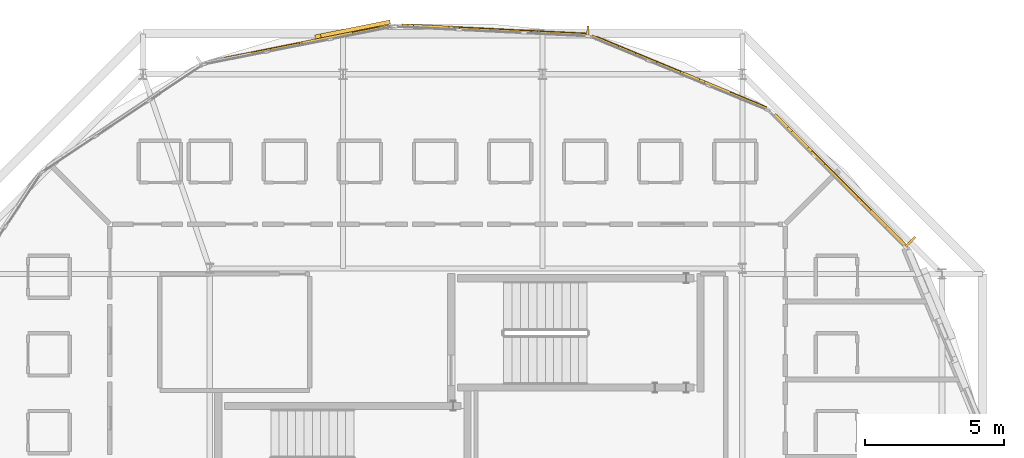
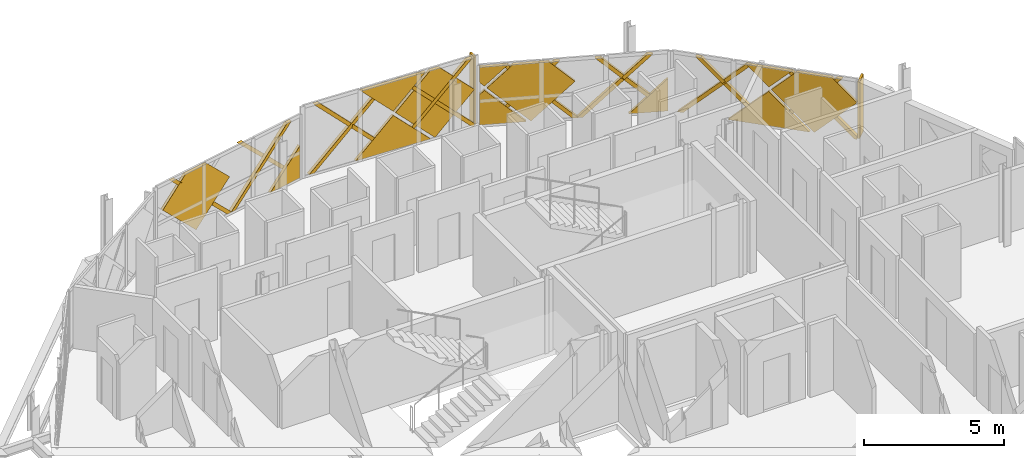
# One storey, part 24 of 24: 27 coverings, 2 shading devices.
"""IFC4 building model written with IfcOpenShell, lengths in metres."""

import ifcopenshell
import ifcopenshell.guid

model = None  # the IFC model being written
_history = None  # IfcOwnerHistory: only IFC2X3 demands one
_inside = {}  # id of a spatial element -> (the spatial element, [elements in it])
_under = {}  # id of a project, library or spatial element -> (it, [spatial elements below it])
_declared = {}  # id of a project -> (the project, [libraries it declares])
_typed = {}  # id of a type object -> (the type object, [elements of that type])
_made_of = {}  # id of a material, layer set ... -> (it, [elements and type objects made of it])


def new_model(schema):
    """Start an empty IFC model of exactly this schema.

    Asked for "IFC4X3", IfcOpenShell would pick the latest addendum, in which some entities
    have other attributes; the version numbers below select the first issue.
    IFC2X3 requires an IfcOwnerHistory on every rooted entity: one is made here for all.
    """
    global model, _history
    if schema == "IFC4X3":
        model = ifcopenshell.file(schema_version=(4, 3, 0, 0))
    else:
        model = ifcopenshell.file(schema=schema)
    _inside.clear()
    _under.clear()
    _declared.clear()
    _typed.clear()
    _made_of.clear()
    _history = None
    if model.schema == "IFC2X3":
        org = make("IfcOrganization", Name="unknown")
        user = make(
            "IfcPersonAndOrganization",
            ThePerson=make("IfcPerson", FamilyName="unknown"),
            TheOrganization=org,
        )
        app = make(
            "IfcApplication",
            ApplicationDeveloper=org,
            Version="unknown",
            ApplicationFullName="unknown",
            ApplicationIdentifier="unknown",
        )
        _history = make(
            "IfcOwnerHistory",
            OwningUser=user,
            OwningApplication=app,
            ChangeAction="ADDED",
            CreationDate=0,
        )
    return model


def make(cls, **values):
    """One entity of the class cls with the attributes given. An attribute that is None is left unset."""
    return model.create_entity(
        cls, **{name: value for name, value in values.items() if value is not None}
    )


def rooted(cls, **values):
    """An entity with a GlobalId (a new one), such as an element, a storey or a relation."""
    return make(cls, GlobalId=ifcopenshell.guid.new(), OwnerHistory=_history, **values)


def si_unit(unit_type, name, prefix=None):
    """IfcSIUnit, for example si_unit("LENGTHUNIT", "METRE", prefix="MILLI")."""
    return make("IfcSIUnit", UnitType=unit_type, Prefix=prefix, Name=name)


def assignment(units):
    """IfcUnitAssignment: the units of a project."""
    return None if units is None else make("IfcUnitAssignment", Units=units)


def point(xyz):
    """IfcCartesianPoint."""
    return None if xyz is None else make("IfcCartesianPoint", Coordinates=xyz)


def direction(xyz):
    """IfcDirection."""
    return None if xyz is None else make("IfcDirection", DirectionRatios=xyz)


def frame(location, z_axis=None, x_axis=None):
    """IfcAxis2Placement3D, a coordinate frame: its origin and axes. An axis left out is left unset."""
    return make(
        "IfcAxis2Placement3D",
        Location=point(location),
        Axis=direction(z_axis),
        RefDirection=direction(x_axis),
    )


def frame_2d(location, x_axis=None):
    """IfcAxis2Placement2D, a coordinate frame in the plane: its origin and x axis."""
    return make(
        "IfcAxis2Placement2D", Location=point(location), RefDirection=direction(x_axis)
    )


def origin():
    """The frame at (0, 0, 0) with its axes left unset."""
    return frame((0.0, 0.0, 0.0))


def origin_2d():
    """The frame at (0, 0) in the plane with its x axis left unset."""
    return frame_2d((0.0, 0.0))


def place(relative_to, where):
    """IfcLocalPlacement: puts the frame where relative to a parent placement (None: the world)."""
    return make(
        "IfcLocalPlacement", PlacementRelTo=relative_to, RelativePlacement=where
    )


def context(
    kind, dimensions, precision=None, world=None, true_north=None, identifier=None
):
    """IfcGeometricRepresentationContext, for example the 3D "Model" context."""
    return make(
        "IfcGeometricRepresentationContext",
        ContextIdentifier=identifier,
        ContextType=kind,
        CoordinateSpaceDimension=dimensions,
        Precision=precision,
        WorldCoordinateSystem=world,
        TrueNorth=true_north,
    )


def subcontext(parent, identifier, kind, view, scale=None):
    """IfcGeometricRepresentationSubContext, for example "Body" below "Model"."""
    return make(
        "IfcGeometricRepresentationSubContext",
        ContextIdentifier=identifier,
        ContextType=kind,
        ParentContext=parent,
        TargetScale=scale,
        TargetView=view,
    )


def project(units=None, contexts=None):
    """IfcProject with its units and contexts."""
    return rooted(
        "IfcProject",
        Name="project",
        RepresentationContexts=contexts,
        UnitsInContext=assignment(units),
    )


def spatial(cls, under=None, at=None, **own):
    """A site, building, storey or space (cls), placed at a placement, below another one or the project."""
    s = rooted(cls, ObjectPlacement=at, **own)
    if under is not None:
        _under.setdefault(under.id(), (under, []))[1].append(s)
    return s


def polyline(points):
    """IfcPolyline through the points."""
    return make("IfcPolyline", Points=[point(p) for p in points])


def profile(cls, at=None, kind="AREA", **sizes):
    """A parametric profile (cls). Its sizes go by their IFC names, for example OverallWidth=200.0."""
    return make(cls, ProfileType=kind, Position=at, **sizes)


def rectangle(**sizes):
    """IfcRectangleProfileDef."""
    return profile("IfcRectangleProfileDef", **sizes)


def outline(outer, holes=None, kind="AREA"):
    """IfcArbitraryClosedProfileDef: a profile drawn as a closed curve; with holes, ...WithVoids."""
    if holes is None:
        return make("IfcArbitraryClosedProfileDef", ProfileType=kind, OuterCurve=outer)
    return make(
        "IfcArbitraryProfileDefWithVoids",
        ProfileType=kind,
        OuterCurve=outer,
        InnerCurves=holes,
    )


def extrude(swept, where, along, depth):
    """IfcExtrudedAreaSolid: the profile swept, set in the frame where, extruded along a direction by depth."""
    return make(
        "IfcExtrudedAreaSolid",
        SweptArea=swept,
        Position=where,
        ExtrudedDirection=direction(along),
        Depth=depth,
    )


def shape(context_of_items, identifier, shape_type, items):
    """IfcShapeRepresentation: the items that make up one representation, for example the "Body"."""
    return make(
        "IfcShapeRepresentation",
        ContextOfItems=context_of_items,
        RepresentationIdentifier=identifier,
        RepresentationType=shape_type,
        Items=items,
    )


def material(Name=None, Category=None):
    """IfcMaterial."""
    return make("IfcMaterial", Name=Name, Category=Category)


def layer(
    of_material, thickness, ventilated=None, Name=None, Category=None, Priority=None
):
    """IfcMaterialLayer: one layer of a wall or slab, of a material (None: an air gap)."""
    return make(
        "IfcMaterialLayer",
        Material=of_material,
        LayerThickness=thickness,
        IsVentilated=ventilated,
        Name=Name,
        Category=Category,
        Priority=Priority,
    )


def layer_set(layers, Name=None):
    """IfcMaterialLayerSet."""
    return make("IfcMaterialLayerSet", MaterialLayers=layers, LayerSetName=Name)


def made_of(thing, what):
    """Note that an element or type object is made of a material, layer set ...; save() writes the relation."""
    if what is not None:
        _made_of.setdefault(what.id(), (what, []))[1].append(thing)
    return thing


def type_object(cls, material=None, **own):
    """A type object (cls), such as IfcWallType, which elements share."""
    return made_of(rooted(cls, **own), material)


def element(
    cls,
    number,
    at=None,
    inside=None,
    cuts=None,
    type_object=None,
    material=None,
    context=None,
    identifier="Body",
    shape_type=None,
    held_by="IfcProductDefinitionShape",
    body=None,
    shapes=None,
    **own,
):
    """One element of the class cls, such as IfcWall. Its Tag is "e" and its number.

    at: its placement. inside: the storey or other place that contains it. cuts: it is an
    opening in that element (IfcRelVoidsElement). A single representation is given by context,
    identifier, shape_type and body (its items); several are given by shapes. held_by: the class
    of the entity that holds the representations. save() writes the other relations.
    """
    e = rooted(cls, Tag="e%d" % number, ObjectPlacement=at, **own)
    if body is not None:
        shapes = [shape(context, identifier, shape_type, body)]
    if shapes is not None:
        e.Representation = make(held_by, Representations=shapes)
    if inside is not None:
        _inside.setdefault(inside.id(), (inside, []))[1].append(e)
    if cuts is not None:
        rooted(
            "IfcRelVoidsElement", RelatingBuildingElement=cuts, RelatedOpeningElement=e
        )
    if type_object is not None:
        _typed.setdefault(type_object.id(), (type_object, []))[1].append(e)
    return made_of(e, material)


def aggregate(whole, parts):
    """IfcRelAggregates: a whole, such as a stair, and the parts it consists of."""
    return rooted("IfcRelAggregates", RelatingObject=whole, RelatedObjects=parts)


def save(model, path):
    """Write the relations noted so far, then the file.

    IfcRelAggregates (storeys below a building ...), IfcRelContainedInSpatialStructure (elements
    in a storey), IfcRelDefinesByType, IfcRelAssociatesMaterial and IfcRelDeclares: one each for
    every whole, place, type object, material and project.
    """
    for whole, parts in _under.values():
        aggregate(whole, parts)
    for where, things in _inside.values():
        rooted(
            "IfcRelContainedInSpatialStructure",
            RelatedElements=things,
            RelatingStructure=where,
        )
    for kind, things in _typed.values():
        rooted("IfcRelDefinesByType", RelatedObjects=things, RelatingType=kind)
    for what, things in _made_of.values():
        rooted("IfcRelAssociatesMaterial", RelatedObjects=things, RelatingMaterial=what)
    for by, libraries in _declared.values():
        rooted("IfcRelDeclares", RelatingContext=by, RelatedDefinitions=libraries)
    model.write(path)


model = new_model("IFC4")

# Units and contexts
model_context = context("Model", 3, precision=1e-05, world=origin(), true_north=direction((0.0, 1.0)))
body_context = subcontext(model_context, "Body", "Model", "MODEL_VIEW")
ifc_project = project(units=[si_unit("LENGTHUNIT", "METRE"), si_unit("AREAUNIT", "SQUARE_METRE"), si_unit("VOLUMEUNIT", "CUBIC_METRE"), si_unit("PLANEANGLEUNIT", "RADIAN"), si_unit("MASSUNIT", "GRAM", prefix="KILO")], contexts=[model_context])

# Site, building, storey
site_placement = place(None, origin())
site = spatial("IfcSite", under=ifc_project, at=site_placement, CompositionType="ELEMENT")
building_placement = place(site_placement, origin())
building = spatial("IfcBuilding", under=site, at=building_placement, Name="Zevrakil Square Congress Hotel", CompositionType="ELEMENT")
storey_placement = place(building_placement, frame((0.0, 0.0, 38.5)))
storey = spatial("IfcBuildingStorey", under=building, at=storey_placement, Name="L11", CompositionType="ELEMENT", Elevation=38.5)

# Coverings
ifc_material_1 = material(Name="Architectural White Fibre-C GRC", Category="concrete")
ifc_layer_1 = layer(ifc_material_1, 0.06494140625)
ifc_layer_set_1 = layer_set([ifc_layer_1], Name="Architectural White Fibre-C GRC")
covering_type_1 = type_object("IfcCoveringType", Name="COV-DIA-WHITE", PredefinedType="CLADDING", material=ifc_layer_set_1)
covering_1_placement = place(storey_placement, frame((159.58056640625, 41.77880859375, 1.590087890625), z_axis=(0.707106665659, 0.707106665659, 0.000571630288), x_axis=(-0.499716692516, 0.500288319938, -0.707103121302)))
element("IfcCovering", 1, at=covering_1_placement, inside=storey, type_object=covering_type_1, Name="L11 45-degree white GRC diamond facade cassette 3272", PredefinedType="CLADDING", context=body_context, shape_type="SweptSolid", body=[
    extrude(outline(polyline([(0.0, 0.0), (2.1354873428434074, 0.0), (-2.1408116838594893e-05, -2.1354873427360994), (0.0, 0.0)])), origin(), (0.0, 0.0, -1.0), 0.1201171875),
])
covering_2_placement = place(storey_placement, frame((159.644287109375, 41.715087890625, 1.679931640625), z_axis=(0.707140347543, 0.707072943366, 0.000617767491), x_axis=(0.500329535821, -0.499759489516, -0.707043710264)))
element("IfcCovering", 2, at=covering_2_placement, inside=storey, type_object=covering_type_1, Name="L11 45-degree white GRC diamond facade cassette 3273", PredefinedType="CLADDING", context=body_context, shape_type="SweptSolid", body=[
    extrude(outline(polyline([(0.0, 0.0), (2.2485791192735185, -4.440892098500626e-16), (2.248853977838536, -2.2342990479333036), (2.234699294185786, -2.2484562513720956), (0.9264160869958067, -2.2485063233599294), (6.409428890696844e-05, -1.322319263013), (0.0, 0.0)])), origin(), (0.0, 0.0, -1.0), 0.1201171875),
])
covering_3_placement = place(storey_placement, frame((159.58056640625, 41.778564453125, 1.77001953125), z_axis=(0.707106648366, 0.707106648366, 0.000612921105), x_axis=(0.499714285029, -0.500327180718, 0.707077326445)))
element("IfcCovering", 3, at=covering_3_placement, inside=storey, type_object=covering_type_1, Name="L11 45-degree white GRC diamond facade cassette 3274", PredefinedType="CLADDING", context=body_context, shape_type="SweptSolid", body=[
    extrude(outline(polyline([(0.0, 0.0), (1.1950188070277745, 1.1102230246251565e-16), (-9.910674917601447e-05, -1.1950188029181539), (0.0, 0.0)])), origin(), (0.0, 0.0, -1.0), 0.1201171875),
])
covering_4_placement = place(storey_placement, frame((155.57763671875, 44.95556640625, 0.080078125), z_axis=(0.382708598301, 0.923868946577, 0.000546201807), x_axis=(0.923869084389, -0.382708655389, 0.0)))
element("IfcCovering", 4, at=covering_4_placement, inside=storey, type_object=covering_type_1, Name="L11 45-degree white GRC diamond facade cassette 3279", PredefinedType="CLADDING", context=body_context, shape_type="SweptSolid", body=[
    extrude(outline(polyline([(0.0, 0.0), (1.409821214264322, 0.0), (1.4098759644796002, -1.4099123196891088), (0.0, 0.0)])), origin(), (0.0, 0.0, -1.0), 0.1201171875),
])
covering_5_placement = place(storey_placement, frame((150.763916015625, 46.948486328125, 1.590087890625), z_axis=(0.382714743738, 0.923866349879, 0.000626487164), x_axis=(-0.653201728691, 0.271070440395, -0.706999517665)))
element("IfcCovering", 5, at=covering_5_placement, inside=storey, type_object=covering_type_1, Name="L11 45-degree white GRC diamond facade cassette 3280", PredefinedType="CLADDING", context=body_context, shape_type="SweptSolid", body=[
    extrude(outline(polyline([(0.0, 0.0), (0.2627880900411389, -2.7755575615628914e-17), (1.199049172416016, -0.936467338451697), (-0.00019416830248641936, -2.135347450146476), (0.0, 0.0)])), origin(), (0.0, 0.0, -1.0), 0.1201171875),
])
covering_6_placement = place(storey_placement, frame((150.846923828125, 46.9140625, 1.679931640625), z_axis=(0.382698091517, 0.923873280155, 0.000577030577), x_axis=(0.653499941168, -0.270259141717, -0.707034527595)))
element("IfcCovering", 6, at=covering_6_placement, inside=storey, type_object=covering_type_1, Name="L11 45-degree white GRC diamond facade cassette 3281", PredefinedType="CLADDING", context=body_context, shape_type="SweptSolid", body=[
    extrude(outline(polyline([(0.0, 0.0), (2.2486083968076045, -2.220446049250313e-16), (2.2488916292677437, -2.248432879459518), (0.9265435052548106, -2.2485923262012273), (0.00021508086097921097, -1.3224529369526261), (0.0, 0.0)])), origin(), (0.0, 0.0, -1.0), 0.1201171875),
])
covering_7_placement = place(storey_placement, frame((150.763916015625, 46.948486328125, 1.77001953125), z_axis=(0.382543433724, 0.92393718608, 0.000772977174), x_axis=(0.653069710922, -0.270986109431, 0.707153788912)))
element("IfcCovering", 7, at=covering_7_placement, inside=storey, type_object=covering_type_1, Name="L11 45-degree white GRC diamond facade cassette 3282", PredefinedType="CLADDING", context=body_context, shape_type="SweptSolid", body=[
    extrude(outline(polyline([(0.0, 0.0), (1.194889801451147, 1.1102230246251565e-16), (0.4659985672846259, -0.7289883829897476), (-4.956417532039903e-05, -0.2628155797619809), (0.0, 0.0)])), origin(), (0.0, 0.0, -1.0), 0.1201171875),
])
covering_8_placement = place(storey_placement, frame((147.112548828125, 47.229736328125, 1.590087890625), z_axis=(0.049070712715, 0.998795149251, 0.000561236486), x_axis=(-0.706270922196, 0.035096337506, -0.70707116442)))
element("IfcCovering", 8, at=covering_8_placement, inside=storey, type_object=covering_type_1, Name="L11 45-degree white GRC diamond facade cassette 3287", PredefinedType="CLADDING", context=body_context, shape_type="SweptSolid", body=[
    extrude(outline(polyline([(0.0, 0.0), (2.13558385861283, 0.0), (1.7276434716828604e-05, -2.1353521352103355), (0.0, 0.0)])), origin(), (0.0, 0.0, -1.0), 0.1201171875),
])
covering_9_placement = place(storey_placement, frame((147.202392578125, 47.225341796875, 1.679931640625), z_axis=(0.049047941332, 0.998796259767, 0.000575262497), x_axis=(0.706311950543, -0.034277657456, -0.707070343544)))
element("IfcCovering", 9, at=covering_9_placement, inside=storey, type_object=covering_type_1, Name="L11 45-degree white GRC diamond facade cassette 3288", PredefinedType="CLADDING", context=body_context, shape_type="SweptSolid", body=[
    extrude(outline(polyline([(0.0, 0.0), (2.248494398241463, -4.440892098500626e-16), (2.2486030582347176, -2.2342168950880037), (2.234447841396194, -2.248373566133651), (0.28288736995757646, -2.2487078883466536), (-6.548053943300491e-05, -1.9657841804599294), (0.0, 0.0)])), origin(), (0.0, 0.0, -1.0), 0.1201171875),
])
covering_10_placement = place(storey_placement, frame((147.112548828125, 47.2294921875, 1.77001953125), z_axis=(0.049014994289, 0.998797881706, 0.000567305379), x_axis=(0.706207169348, -0.035058046767, 0.70713673877)))
element("IfcCovering", 10, at=covering_10_placement, inside=storey, type_object=covering_type_1, Name="L11 45-degree white GRC diamond facade cassette 3289", PredefinedType="CLADDING", context=body_context, shape_type="SweptSolid", body=[
    extrude(outline(polyline([(0.0, 0.0), (1.8384687951391032, 0.0), (3.472268592397132e-05, -1.838590449870117), (0.0, 0.0)])), origin(), (0.0, 0.0, -1.0), 0.1201171875),
])
covering_11_placement = place(storey_placement, frame((141.939453125, 47.114501953125, 0.080078125), z_axis=(-0.195117182695, 0.980779804763, 0.000509496002), x_axis=(0.980779932061, 0.19511720802, 0.0)))
element("IfcCovering", 11, at=covering_11_placement, inside=storey, type_object=covering_type_1, Name="L11 45-degree white GRC diamond facade cassette 3294", PredefinedType="CLADDING", context=body_context, shape_type="SweptSolid", body=[
    extrude(outline(polyline([(0.0, 0.0), (1.4101600118571058, 0.0), (1.410017103745763, -1.4099122923718828), (0.0, 0.0)])), origin(), (0.0, 0.0, -1.0), 0.1201171875),
])
covering_12_placement = place(storey_placement, frame((136.91796875, 46.11474609375, 1.679931640625), z_axis=(-0.195067797291, 0.980789630884, 0.000504392096), x_axis=(0.693497156638, 0.138292244417, -0.707062195898)))
element("IfcCovering", 12, at=covering_12_placement, inside=storey, type_object=covering_type_1, Name="L11 45-degree white GRC diamond facade cassette 3296", PredefinedType="CLADDING", context=body_context, shape_type="SweptSolid", body=[
    extrude(outline(polyline([(0.0, 0.0), (2.248520429327788, 0.0), (2.24890631500822, -2.2486233126681197), (0.7285257753342409, -2.2485491234754926), (0.00013081651485591372, -1.5202458257341371), (0.0, 0.0)])), origin(), (0.0, 0.0, -1.0), 0.1201171875),
])
ifc_material_2 = material(Name="Anodised Champagne Aluminium", Category="aluminium")
ifc_layer_2 = layer(ifc_material_2, 0.0849609375)
ifc_layer_set_2 = layer_set([ifc_layer_2], Name="Anodised Champagne Aluminium")
covering_type_2 = type_object("IfcCoveringType", Name="COV-DIAGRID-45", PredefinedType="MOLDING", material=ifc_layer_set_2)
covering_13_placement = place(storey_placement, frame((161.84326171875, 39.552734375, 0.080078125), z_axis=(0.707282514831, 0.706930533037, 0.000815888734), x_axis=(0.706930767503, -0.707282751066, 1.431981e-06)))
element("IfcCovering", 13, at=covering_13_placement, inside=storey, type_object=covering_type_2, Name="L11 45-degree aluminium diagrid rib 3275", PredefinedType="MOLDING", context=body_context, shape_type="SweptSolid", body=[
    extrude(outline(polyline([(0.0, 0.0), (0.08614415255731475, 6.776263578034403e-21), (0.08614433295333368, -0.12597652057017583), (-2.3227795395484927, -2.534916331166008), (-2.534773460544929, -2.5349166777860006), (0.0, 0.0)])), origin(), (0.0, 0.0, -1.0), 0.14501953125),
])
covering_14_placement = place(storey_placement, frame((159.46728515625, 41.9287109375, 0.080078125), z_axis=(0.707106648366, 0.707106648366, 0.000612921105), x_axis=(0.707106781187, -0.707106781187, 0.0)))
element("IfcCovering", 14, at=covering_14_placement, inside=storey, type_object=covering_type_2, Name="L11 45-degree aluminium diagrid rib 3276", PredefinedType="MOLDING", context=body_context, shape_type="SweptSolid", body=[
    extrude(outline(polyline([(0.0, 0.0), (0.21233919454576503, 0.0), (-2.3227836281408685, -2.5349125855232417), (-2.5347775557036325, -2.5349125855232417), (0.0, 0.0)])), origin(), (0.0, 0.0, -1.0), 0.14501953125),
])
covering_15_placement = place(storey_placement, frame((161.52197265625, 39.871826171875, 2.614990234375), z_axis=(0.707106648366, 0.707106648366, 0.000612921105), x_axis=(-0.707106781403, 0.70710678097, 4.98715e-07)))
element("IfcCovering", 15, at=covering_15_placement, inside=storey, type_object=covering_type_2, Name="L11 45-degree aluminium diagrid rib 3277", PredefinedType="MOLDING", context=body_context, shape_type="SweptSolid", body=[
    extrude(outline(polyline([(0.0, 0.0), (0.21216656105429077, 1.3552527156068805e-20), (2.747115486049362, -2.534913955552084), (2.534948924995177, -2.5349137439306633), (0.0, 0.0)])), origin(), (0.0, 0.0, -1.0), 0.14501953125),
])
covering_16_placement = place(storey_placement, frame((159.14599609375, 42.247802734375, 2.614990234375), z_axis=(0.707394504899, 0.70681891946, 0.000171849645), x_axis=(-0.706818929905, 0.707394515336, 6.9943e-08)))
element("IfcCovering", 16, at=covering_16_placement, inside=storey, type_object=covering_type_2, Name="L11 45-degree aluminium diagrid rib 3278", PredefinedType="MOLDING", context=body_context, shape_type="SweptSolid", body=[
    extrude(outline(polyline([(0.0, 0.0), (0.2119939100044403, 0.0), (2.7471169777784072, -2.53491233894716), (2.5349503640348714, -2.5349123092801533), (0.0, 0.0)])), origin(), (0.0, 0.0, -1.0), 0.14501953125),
])
covering_17_placement = place(storey_placement, frame((156.810302734375, 44.471923828125, 0.080078125), z_axis=(0.382192311352, 0.924082806348, 6.4465811e-05), x_axis=(0.924082808271, -0.382192312138, -1.40394e-07)))
element("IfcCovering", 17, at=covering_17_placement, inside=storey, type_object=covering_type_2, Name="L11 45-degree aluminium diagrid rib 3283", PredefinedType="MOLDING", context=body_context, shape_type="SweptSolid", body=[
    extrude(outline(polyline([(0.0, 0.0), (0.08605096809642064, 4.235164736271502e-22), (0.08614425908007489, -0.12597657679521315), (-2.3227999890043263, -2.534911782246469), (-2.534940209383154, -2.534911754114875), (0.0, 0.0)])), origin(), (0.0, 0.0, -1.0), 0.14501953125),
])
covering_18_placement = place(storey_placement, frame((153.7060546875, 45.7578125, 0.080078125), z_axis=(0.382283985605, 0.924044874844, 0.000153705142), x_axis=(0.924044885761, -0.382283990116, -3.3811e-08)))
element("IfcCovering", 18, at=covering_18_placement, inside=storey, type_object=covering_type_2, Name="L11 45-degree aluminium diagrid rib 3284", PredefinedType="MOLDING", context=body_context, shape_type="SweptSolid", body=[
    extrude(outline(polyline([(0.0, 0.0), (0.2121402167931065, 3.3881317890172014e-21), (-2.3230252977588823, -2.5349120607745457), (-2.534939917656051, -2.5349120464367108), (0.0, 0.0)])), origin(), (0.0, 0.0, -1.0), 0.14501953125),
])
for number, where, z_axis, x_axis, name in (
    (19, (156.391357421875, 44.643798828125, 2.614990234375), (0.382775366943, 0.923841299164, 0.000521939069), (-0.923841424968, 0.38277541916, -1.6243e-07), "L11 45-degree aluminium diagrid rib 3285"),
    (20, (153.287109375, 45.9296875, 2.614990234375), (0.382775366943, 0.923841299164, 0.000521939069), (-0.923841424968, 0.38277541916, -1.6243e-07), "L11 45-degree aluminium diagrid rib 3286"),
):
    element("IfcCovering", number, at=place(storey_placement, frame(where, z_axis=z_axis, x_axis=x_axis)), inside=storey, type_object=covering_type_2, Name=name, PredefinedType="MOLDING", context=body_context, shape_type="SweptSolid", body=[
        extrude(outline(polyline([(0.0, 0.0), (0.21223361299549912, 0.0), (2.747073540922702, -2.5349120084491323), (2.5351589261801633, -2.5349120773434812), (0.0, 0.0)])), origin(), (0.0, 0.0, -1.0), 0.14501953125),
    ])
covering_19_placement = place(storey_placement, frame((150.28369140625, 47.099853515625, 0.080078125), z_axis=(0.048890487435, 0.998804051942, 0.000431349722), x_axis=(0.998804144869, -0.048890491836, -3.40132e-07)))
element("IfcCovering", 21, at=covering_19_placement, inside=storey, type_object=covering_type_2, Name="L11 45-degree aluminium diagrid rib 3290", PredefinedType="MOLDING", context=body_context, shape_type="SweptSolid", body=[
    extrude(outline(polyline([(0.0, 0.0), (0.08628149450684662, -2.117582368135751e-22), (0.08628145165822604, -0.12597655078022985), (-2.7776741037324504, -2.989989564364083), (-2.98984800238856, -2.989989438317135), (0.0, 0.0)])), origin(), (0.0, 0.0, -1.0), 0.14501953125),
])
covering_20_placement = place(storey_placement, frame((146.927978515625, 47.264892578125, 0.080078125), z_axis=(0.049478466536, 0.998774626814, 0.001061217231), x_axis=(0.998775189215, -0.049478494397, 0.0)))
element("IfcCovering", 22, at=covering_20_placement, inside=storey, type_object=covering_type_2, Name="L11 45-degree aluminium diagrid rib 3291", PredefinedType="MOLDING", context=body_context, shape_type="SweptSolid", body=[
    extrude(outline(polyline([(0.0, 0.0), (0.21217393542432023, -1.6940658945086007e-21), (-2.777903612634541, -2.9899919180130308), (-2.9900775480588617, -2.9899919180130308), (0.0, 0.0)])), origin(), (0.0, 0.0, -1.0), 0.14501953125),
])
covering_21_placement = place(storey_placement, frame((150.285888671875, 47.097900390625, 3.070068359375), z_axis=(0.048904532199, 0.998803151742, 0.000781536701), x_axis=(-0.99880345676, 0.048904547485, -4.49104e-07)))
element("IfcCovering", 23, at=covering_21_placement, inside=storey, type_object=covering_type_2, Name="L11 45-degree aluminium diagrid rib 3292", PredefinedType="MOLDING", context=body_context, shape_type="SweptSolid", body=[
    extrude(outline(polyline([(0.0, 0.0), (0.21217390039288506, -1.6940658945086007e-21), (3.2021893662468224, -2.989989709400164), (2.990027405440726, -2.9899898999713543), (0.0, 0.0)])), origin(), (0.0, 0.0, -1.0), 0.14501953125),
])
covering_22_placement = place(storey_placement, frame((146.929931640625, 47.262939453125, 3.070068359375), z_axis=(0.048330509608, 0.998830531904, 0.001315438056), x_axis=(-0.998831396082, 0.048330551423, 0.0)))
element("IfcCovering", 24, at=covering_22_placement, inside=storey, type_object=covering_type_2, Name="L11 45-degree aluminium diagrid rib 3293", PredefinedType="MOLDING", context=body_context, shape_type="SweptSolid", body=[
    extrude(outline(polyline([(0.0, 0.0), (0.21216199583958878, -1.6940658945086007e-21), (3.2021743523191804, -2.9899928212839395), (2.9900123564795917, -2.9899928212839395), (0.0, 0.0)])), origin(), (0.0, 0.0, -1.0), 0.14501953125),
])
covering_23_placement = place(storey_placement, frame((143.233154296875, 47.397216796875, 0.080078125), z_axis=(0.19576984818, -0.980649866021, 8.256863e-05), x_axis=(0.980649869363, 0.195769848849, 2.9158e-08)))
element("IfcCovering", 25, at=covering_23_placement, inside=storey, type_object=covering_type_2, Name="L11 45-degree aluminium diagrid rib 3298", PredefinedType="MOLDING", context=body_context, shape_type="SweptSolid", body=[
    extrude(outline(polyline([(0.0, 0.0), (0.08589656359883074, 0.0), (0.08589656727200465, 0.12597656207057237), (-2.4628951464319573, 2.6748047693098767), (-2.6750031940397676, 2.6748047772166355), (0.0, 0.0)])), origin(), (0.0, 0.0, -1.0), 0.14501953125),
])
covering_24_placement = place(storey_placement, frame((139.937744140625, 46.741943359375, 0.080078125), z_axis=(-0.194565967107, 0.980888780918, 0.001133098733), x_axis=(0.980889410606, 0.19456609201, 0.0)))
element("IfcCovering", 26, at=covering_24_placement, inside=storey, type_object=covering_type_2, Name="L11 45-degree aluminium diagrid rib 3299", PredefinedType="MOLDING", context=body_context, shape_type="SweptSolid", body=[
    extrude(outline(polyline([(0.0, 0.0), (0.21206041195957603, 0.0), (-2.462941154992627, -2.674806404609561), (-2.675001566952203, -2.674806404609561), (0.0, 0.0)])), origin(), (0.0, 0.0, -1.0), 0.14501953125),
])
covering_25_placement = place(storey_placement, frame((142.926513671875, 47.334716796875, 2.7548828125), z_axis=(-0.194566091322, 0.980889407141, 8.4065619e-05), x_axis=(-0.980889410606, -0.19456609201, 0.0)))
element("IfcCovering", 27, at=covering_25_placement, inside=storey, type_object=covering_type_2, Name="L11 45-degree aluminium diagrid rib 3300", PredefinedType="MOLDING", context=body_context, shape_type="SweptSolid", body=[
    extrude(outline(polyline([(0.0, 0.0), (0.21206041195957603, 4.235164736271502e-22), (2.887162884438071, -2.6748046969514605), (2.6751024724784944, -2.6748046969514605), (0.0, 0.0)])), origin(), (0.0, 0.0, -1.0), 0.14501953125),
])

# Shading devices
ifc_material_3 = material(Name="Aluminium Anodised Bronze", Category="aluminium")
shading_device_type_1 = type_object("IfcShadingDeviceType", Name="SHD-FIN-35", PredefinedType="JALOUSIE", material=ifc_material_3)
shading_device_1_placement = place(storey_placement, frame((150.433349609375, 47.167724609375, 0.10009765625), z_axis=(0.0, 0.0, 1.0), x_axis=(0.049058958191, 0.998795884363, 0.0)))
element("IfcShadingDevice", 28, at=shading_device_1_placement, inside=storey, type_object=shading_device_type_1, Name="L11 aluminium solar shading fin 183", PredefinedType="JALOUSIE", context=body_context, shape_type="SweptSolid", body=[
    extrude(rectangle(XDim=0.35009765625, YDim=0.080078125, at=origin_2d()), origin(), (0.0, 0.0, 1.0), 2.949951171875),
])
ifc_material_4 = material(Name="Aluminium Anodised Bronze", Category="aluminium")
shading_device_type_2 = type_object("IfcShadingDeviceType", Name="SHD-FIN-50", PredefinedType="JALOUSIE", material=ifc_material_4)
shading_device_2_placement = place(storey_placement, frame((162.052490234375, 39.555419921875, 0.099853515625), z_axis=(0.0, 0.0, 1.0), x_axis=(0.707106781187, 0.707106781187, 0.0)))
element("IfcShadingDevice", 29, at=shading_device_2_placement, inside=storey, type_object=shading_device_type_2, Name="L11 aluminium solar shading fin 182", PredefinedType="JALOUSIE", context=body_context, shape_type="SweptSolid", body=[
    extrude(rectangle(XDim=0.5, YDim=0.080078125, at=origin_2d()), origin(), (0.0, 0.0, 1.0), 2.4951171875),
])

save(model, "model.ifc")
